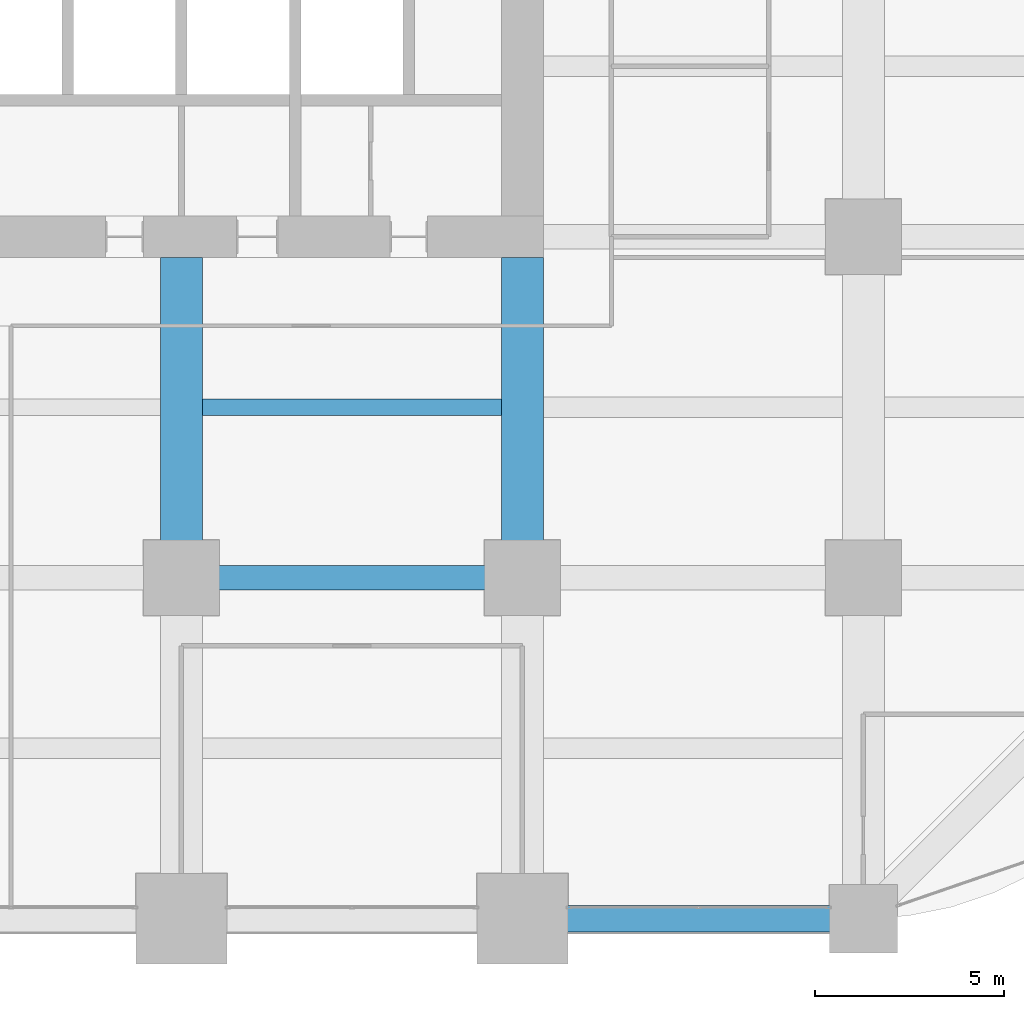
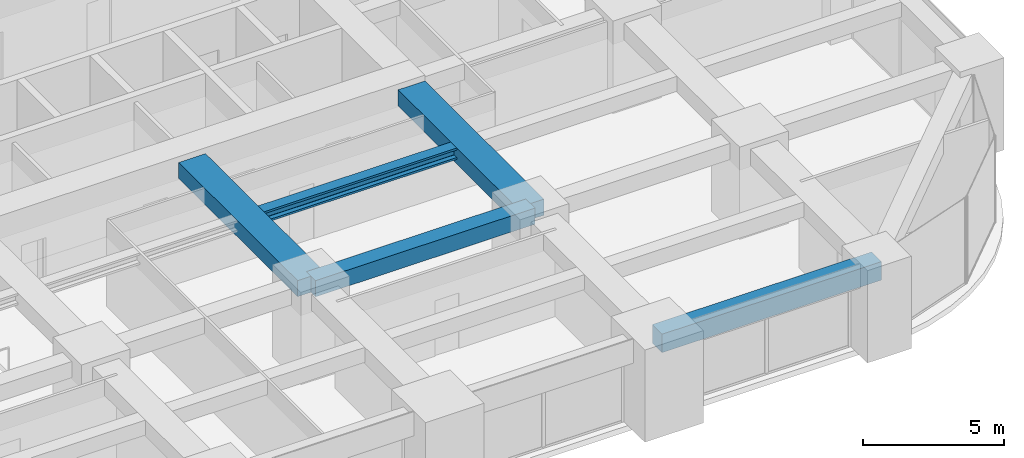
# One storey, part 15 of 39: 5 beams.
"""IFC4 building model written with IfcOpenShell, lengths in metres."""

from ifc_helpers import new_model, si_unit, direction, frame, origin, origin_2d, place, context, subcontext, project, spatial, rectangle, i_section, extrude, material, material_profile, profile_set, type_object, element, save


model = new_model("IFC4")

# Units and contexts
model_context = context("Model", 3, precision=1e-05, world=origin(), true_north=direction((0.0, 1.0)))
body_context = subcontext(model_context, "Body", "Model", "MODEL_VIEW")
ifc_project = project(units=[si_unit("LENGTHUNIT", "METRE"), si_unit("AREAUNIT", "SQUARE_METRE"), si_unit("VOLUMEUNIT", "CUBIC_METRE"), si_unit("PLANEANGLEUNIT", "RADIAN"), si_unit("MASSUNIT", "GRAM", prefix="KILO")], contexts=[model_context])

# Site, building, storey
site_placement = place(None, origin())
site = spatial("IfcSite", under=ifc_project, at=site_placement, CompositionType="ELEMENT")
building_placement = place(site_placement, origin())
building = spatial("IfcBuilding", under=site, at=building_placement, Name="Zorevar Civic Tower", CompositionType="ELEMENT")
storey_placement = place(building_placement, frame((0.0, 0.0, 121.0)))
storey = spatial("IfcBuildingStorey", under=building, at=storey_placement, Name="L29", CompositionType="ELEMENT", Elevation=121.0)

# Beams
ifc_material_1 = material(Name="Concrete C50/60", Category="concrete")
ifc_material_profile_1 = material_profile(ifc_material_1, rectangle(XDim=1.10009765625, YDim=0.699951171875, at=origin_2d()), Name="RC 1100x700")
ifc_profile_set_1 = profile_set([ifc_material_profile_1], Name="Concrete C50/60")
beam_type_1 = type_object("IfcBeamType", Name="Beam RC 1100x700", PredefinedType="BEAM", material=ifc_profile_set_1)
for number, where, z_axis, x_axis, name in (
    (1, (36.0, 9.0, 3.39990234375), (0.0, 1.0, 0.0), (-1.0, 0.0, 0.0), "Girder L30"),
    (2, (45.0, 9.0, 3.39990234375), (0.0, 1.0, 0.0), (-1.0, 0.0, 0.0), "Girder L30"),
):
    element("IfcBeam", number, at=place(storey_placement, frame(where, z_axis=z_axis, x_axis=x_axis)), inside=storey, type_object=beam_type_1, Name=name, PredefinedType="BEAM", context=body_context, shape_type="SweptSolid", body=[
        extrude(rectangle(XDim=1.10009765625, YDim=0.699951171875, at=origin_2d()), origin(), (0.0, 0.0, 1.0), 8.449951171875),
    ])
ifc_material_2 = material(Name="Concrete C50/60", Category="concrete")
ifc_material_profile_2 = material_profile(ifc_material_2, rectangle(XDim=0.64990234375, YDim=0.699951171875, at=origin_2d()), Name="RC 650x700")
ifc_profile_set_2 = profile_set([ifc_material_profile_2], Name="Concrete C50/60")
beam_type_2 = type_object("IfcBeamType", Name="Beam RC 650x700", PredefinedType="BEAM", material=ifc_profile_set_2)
beam_1_placement = place(storey_placement, frame((36.0, 9.0, 3.39990234375), z_axis=(1.0, 0.0, 0.0), x_axis=(0.0, 1.0, 0.0)))
element("IfcBeam", 3, at=beam_1_placement, inside=storey, type_object=beam_type_2, Name="Girder L30", PredefinedType="BEAM", context=body_context, shape_type="SweptSolid", body=[
    extrude(rectangle(XDim=0.64990234375, YDim=0.699951171875, at=origin_2d()), origin(), (0.0, 0.0, 1.0), 9.0),
])
ifc_material_3 = material(Name="Steel S460M (HISTAR 460)", Category="steel")
ifc_material_profile_3 = material_profile(ifc_material_3, i_section(OverallWidth=0.431884765625, OverallDepth=0.498046875, WebThickness=0.0556640625, FlangeThickness=0.0888671875, FilletRadius=0.014892578125, at=origin_2d()), Name="HD 400x744")
ifc_profile_set_3 = profile_set([ifc_material_profile_3], Name="Steel S460M (HISTAR 460)")
beam_type_3 = type_object("IfcBeamType", Name="Core bay beam HD 400x744", PredefinedType="BEAM", material=ifc_profile_set_3)
beam_2_placement = place(storey_placement, frame((36.550048828125, 13.5, 3.5009765625), z_axis=(1.0, 0.0, 0.0), x_axis=(0.0, 1.0, 0.0)))
element("IfcBeam", 4, at=beam_2_placement, inside=storey, type_object=beam_type_3, Name="Secondary beam L30", PredefinedType="BEAM", context=body_context, shape_type="SweptSolid", body=[
    extrude(i_section(OverallWidth=0.431884765625, OverallDepth=0.498046875, WebThickness=0.0556640625, FlangeThickness=0.0888671875, FilletRadius=0.014892578125, at=origin_2d()), origin(), (0.0, 0.0, 1.0), 7.89990234375),
])
ifc_material_4 = material(Name="Concrete C50/60", Category="concrete")
ifc_material_profile_4 = material_profile(ifc_material_4, rectangle(XDim=0.699951171875, YDim=0.800048828125, at=origin_2d()), Name="RC 700x800")
ifc_profile_set_4 = profile_set([ifc_material_profile_4], Name="Concrete C50/60")
beam_type_4 = type_object("IfcBeamType", Name="Edge beam RC 700x800", PredefinedType="SPANDREL", material=ifc_profile_set_4)
beam_3_placement = place(storey_placement, frame((45.0, 0.0, 3.35009765625), z_axis=(1.0, 0.0, 0.0), x_axis=(0.0, 1.0, 0.0)))
element("IfcBeam", 5, at=beam_3_placement, inside=storey, type_object=beam_type_4, Name="Edge beam L30", PredefinedType="SPANDREL", context=body_context, shape_type="SweptSolid", body=[
    extrude(rectangle(XDim=0.699951171875, YDim=0.800048828125, at=origin_2d()), origin(), (0.0, 0.0, 1.0), 9.0),
])

save(model, "model.ifc")
